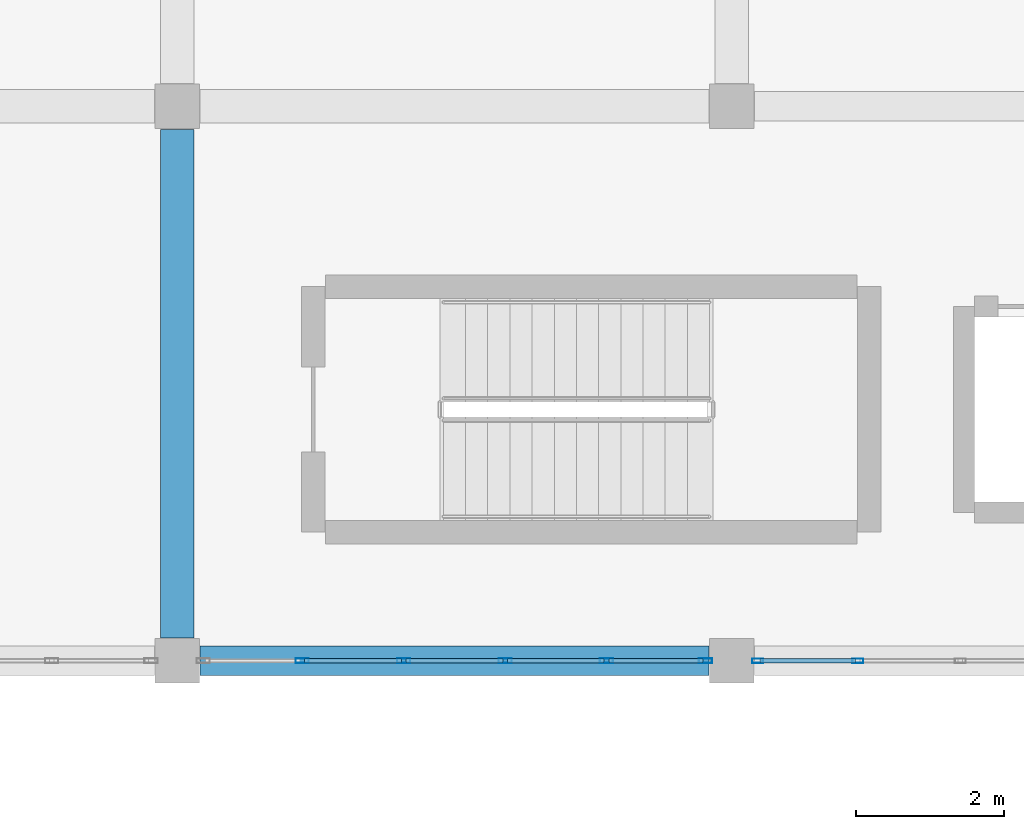
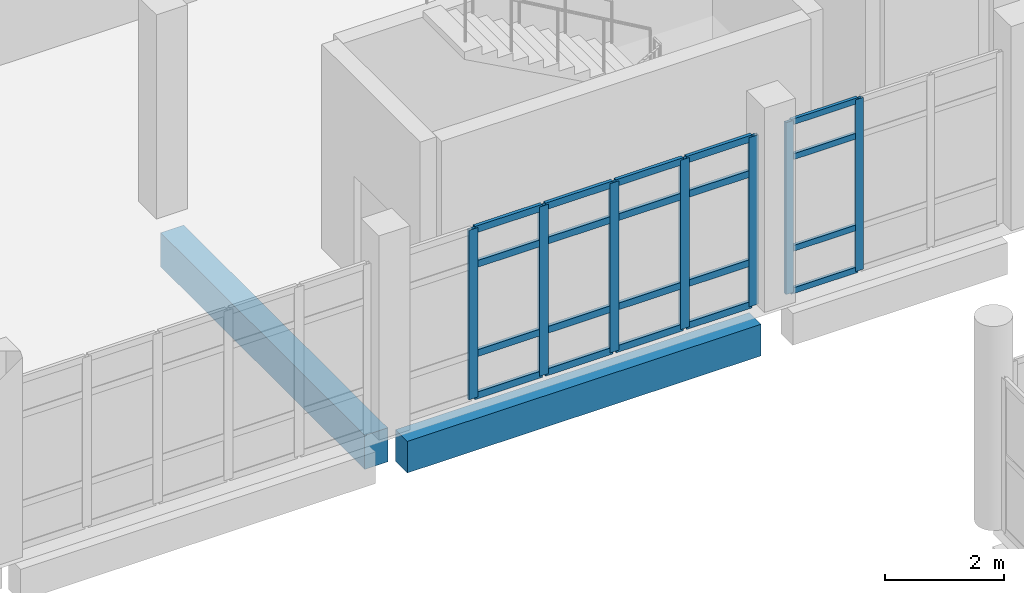
# One storey, part 74 of 164: 27 members, 2 beams, 2 elements without a shape of their own.
"""IFC4 building model written with IfcOpenShell, lengths in metres."""

from ifc_helpers import new_model, si_unit, direction, frame, origin, origin_2d, place, context, subcontext, project, spatial, rectangle, hollow_rectangle, extrude, material, layer, layer_set, material_profile, profile_set, type_object, element, aggregate, save


model = new_model("IFC4")

# Units and contexts
model_context = context("Model", 3, precision=1e-05, world=origin(), true_north=direction((0.0, 1.0)))
body_context = subcontext(model_context, "Body", "Model", "MODEL_VIEW")
ifc_project = project(units=[si_unit("LENGTHUNIT", "METRE"), si_unit("AREAUNIT", "SQUARE_METRE"), si_unit("VOLUMEUNIT", "CUBIC_METRE"), si_unit("PLANEANGLEUNIT", "RADIAN"), si_unit("MASSUNIT", "GRAM", prefix="KILO")], contexts=[model_context])

# Site, building, storey
site_placement = place(None, origin())
site = spatial("IfcSite", under=ifc_project, at=site_placement, CompositionType="ELEMENT")
building_placement = place(site_placement, origin())
building = spatial("IfcBuilding", under=site, at=building_placement, Name="Mawjan Specialist Oncology Clinic", CompositionType="ELEMENT")
storey_placement = place(building_placement, frame((0.0, 0.0, 5.0)))
storey = spatial("IfcBuildingStorey", under=building, at=storey_placement, Name="L01", CompositionType="ELEMENT", Elevation=5.0)

# Beam
ifc_material_1 = material(Name="Concrete C40/50", Category="concrete")
ifc_material_profile_1 = material_profile(ifc_material_1, rectangle(XDim=0.449951171875, YDim=0.699951171875, at=origin_2d()), Name="RC BM 450x700", Category="concrete")
ifc_profile_set_1 = profile_set([ifc_material_profile_1], Name="Concrete C40/50")
beam_type_1 = type_object("IfcBeamType", Name="BM-450x700", PredefinedType="BEAM", material=ifc_profile_set_1)
beam_1_placement = place(storey_placement, frame((52.5, 83.610107421875, -0.64990234375), z_axis=(0.0, 1.0, 0.0), x_axis=(-1.0, 0.0, 0.0)))
element("IfcBeam", 1, at=beam_1_placement, inside=storey, type_object=beam_type_1, Name="L01 Collector Beam BM-L01-0484", PredefinedType="BEAM", context=body_context, shape_type="SweptSolid", body=[
    extrude(rectangle(XDim=0.449951171875, YDim=0.699951171875, at=origin_2d()), origin(), (0.0, 0.0, 1.0), 6.8798828125),
])

# Curtain wall, members
ifc_material_2 = material(Name="Unitised spectrally selective aluminium curtain wall", Category="aluminium")
ifc_layer_1 = layer(ifc_material_2, 0.179931640625, Name="Unitised spectrally selective aluminium curtain wall", Category="aluminium")
ifc_layer_set_1 = layer_set([ifc_layer_1], Name="Unitised spectrally selective aluminium curtain wall")
curtain_wall_type_1 = type_object("IfcCurtainWallType", Name="CW-59", PredefinedType="NOTDEFINED", material=ifc_layer_set_1)
curtain_wall_1_placement = place(storey_placement, origin())
curtain_wall_1 = element("IfcCurtainWall", 2, at=curtain_wall_1_placement, inside=storey, type_object=curtain_wall_type_1, Name="L01 Unitised Curtain Wall CW-L01-113", PredefinedType="NOTDEFINED")
ifc_material_3 = material(Name="Thermally broken aluminium 6063-T6", Category="aluminium")
ifc_material_profile_2 = material_profile(ifc_material_3, hollow_rectangle(XDim=0.06005859375, YDim=0.14990234375, WallThickness=0.00390625, at=origin_2d()), Name="ALU MULLION 150x60x4", Category="aluminium")
ifc_profile_set_2 = profile_set([ifc_material_profile_2], Name="Thermally broken aluminium 6063-T6")
member_type_1 = type_object("IfcMemberType", Name="CW-M150", PredefinedType="MULLION", material=ifc_profile_set_2)
member_1_placement = place(storey_placement, frame((61.706787109375, 83.300048828125, 0.0), z_axis=(0.0, 0.0, 1.0), x_axis=(0.0, -1.0, 0.0)))
member_1 = element("IfcMember", 3, at=member_1_placement, type_object=member_type_1, Name="CW-59 mullion 3", PredefinedType="MULLION", context=body_context, shape_type="SweptSolid", body=[
    extrude(hollow_rectangle(XDim=0.06005859375, YDim=0.14990234375, WallThickness=0.00390625, at=origin_2d()), origin(), (0.0, 0.0, 1.0), 3.534912109375),
])
member_2_placement = place(storey_placement, frame((60.35009765625, 83.300048828125, 0.0), z_axis=(0.0, 0.0, 1.0), x_axis=(0.0, -1.0, 0.0)))
member_2 = element("IfcMember", 4, at=member_2_placement, type_object=member_type_1, Name="CW-59 mullion 4", PredefinedType="MULLION", context=body_context, shape_type="SweptSolid", body=[
    extrude(hollow_rectangle(XDim=0.06005859375, YDim=0.14990234375, WallThickness=0.00390625, at=origin_2d()), origin(), (0.0, 0.0, 1.0), 3.534912109375),
])

ifc_material_4 = material(Name="Unitised spectrally selective aluminium curtain wall", Category="aluminium")
ifc_layer_2 = layer(ifc_material_4, 0.179931640625, Name="Unitised spectrally selective aluminium curtain wall", Category="aluminium")
ifc_layer_set_2 = layer_set([ifc_layer_2], Name="Unitised spectrally selective aluminium curtain wall")
curtain_wall_type_2 = type_object("IfcCurtainWallType", Name="CW-60", PredefinedType="NOTDEFINED", material=ifc_layer_set_2)
curtain_wall_2_placement = place(storey_placement, origin())
curtain_wall_2 = element("IfcCurtainWall", 5, at=curtain_wall_2_placement, inside=storey, type_object=curtain_wall_type_2, Name="L01 Unitised Curtain Wall CW-L01-114", PredefinedType="NOTDEFINED")
ifc_material_5 = material(Name="Thermally broken aluminium 6063-T6", Category="aluminium")
ifc_material_profile_3 = material_profile(ifc_material_5, hollow_rectangle(XDim=0.06494140625, YDim=0.179931640625, WallThickness=0.00390625, at=origin_2d()), Name="ALU MULLION 180x65x4", Category="aluminium")
ifc_profile_set_3 = profile_set([ifc_material_profile_3], Name="Thermally broken aluminium 6063-T6")
member_type_2 = type_object("IfcMemberType", Name="CW-M180", PredefinedType="MULLION", material=ifc_profile_set_3)
member_3_placement = place(storey_placement, frame((59.6474609375, 83.300048828125, 0.0), z_axis=(0.0, 0.0, 1.0), x_axis=(0.0, -1.0, 0.0)))
member_3 = element("IfcMember", 6, at=member_3_placement, type_object=member_type_2, Name="CW-60 mullion 1", PredefinedType="MULLION", context=body_context, shape_type="SweptSolid", body=[
    extrude(hollow_rectangle(XDim=0.06494140625, YDim=0.179931640625, WallThickness=0.00390625, at=origin_2d()), origin(), (0.0, 0.0, 1.0), 3.485107421875),
])
member_4_placement = place(storey_placement, frame((58.30810546875, 83.300048828125, 0.0), z_axis=(0.0, 0.0, 1.0), x_axis=(0.0, -1.0, 0.0)))
member_4 = element("IfcMember", 7, at=member_4_placement, type_object=member_type_2, Name="CW-60 mullion 2", PredefinedType="MULLION", context=body_context, shape_type="SweptSolid", body=[
    extrude(hollow_rectangle(XDim=0.06494140625, YDim=0.179931640625, WallThickness=0.00390625, at=origin_2d()), origin(), (0.0, 0.0, 1.0), 3.485107421875),
])
member_5_placement = place(storey_placement, frame((56.93603515625, 83.300048828125, 0.0), z_axis=(0.0, 0.0, 1.0), x_axis=(0.0, -1.0, 0.0)))
member_5 = element("IfcMember", 8, at=member_5_placement, type_object=member_type_2, Name="CW-60 mullion 3", PredefinedType="MULLION", context=body_context, shape_type="SweptSolid", body=[
    extrude(hollow_rectangle(XDim=0.06494140625, YDim=0.179931640625, WallThickness=0.00390625, at=origin_2d()), origin(), (0.0, 0.0, 1.0), 3.485107421875),
])
member_6_placement = place(storey_placement, frame((55.56396484375, 83.300048828125, 0.0), z_axis=(0.0, 0.0, 1.0), x_axis=(0.0, -1.0, 0.0)))
member_6 = element("IfcMember", 9, at=member_6_placement, type_object=member_type_2, Name="CW-60 mullion 4", PredefinedType="MULLION", context=body_context, shape_type="SweptSolid", body=[
    extrude(hollow_rectangle(XDim=0.06494140625, YDim=0.179931640625, WallThickness=0.00390625, at=origin_2d()), origin(), (0.0, 0.0, 1.0), 3.485107421875),
])
member_7_placement = place(storey_placement, frame((54.19189453125, 83.300048828125, 0.0), z_axis=(0.0, 0.0, 1.0), x_axis=(0.0, -1.0, 0.0)))
member_7 = element("IfcMember", 10, at=member_7_placement, type_object=member_type_2, Name="CW-60 mullion 5", PredefinedType="MULLION", context=body_context, shape_type="SweptSolid", body=[
    extrude(hollow_rectangle(XDim=0.06494140625, YDim=0.179931640625, WallThickness=0.00390625, at=origin_2d()), origin(), (0.0, 0.0, 1.0), 3.485107421875),
])

# Member
ifc_material_6 = material(Name="Thermally broken aluminium 6063-T6", Category="aluminium")
ifc_material_profile_4 = material_profile(ifc_material_6, hollow_rectangle(XDim=0.06005859375, YDim=0.1201171875, WallThickness=0.00390625, at=origin_2d()), Name="ALU TRANSOM 120x60x4", Category="aluminium")
ifc_profile_set_4 = profile_set([ifc_material_profile_4], Name="Thermally broken aluminium 6063-T6")
member_type_3 = type_object("IfcMemberType", Name="CW-T120", PredefinedType="USERDEFINED", material=ifc_profile_set_4)
member_8_placement = place(storey_placement, frame((61.6767578125, 83.300048828125, 0.030029296875), z_axis=(-1.0, 0.0, 0.0), x_axis=(0.0, -1.0, 0.0)))
member_8 = element("IfcMember", 11, at=member_8_placement, type_object=member_type_3, Name="CW-59 transom 3.1", ObjectType="TRANSOM", PredefinedType="USERDEFINED", context=body_context, shape_type="SweptSolid", body=[
    extrude(hollow_rectangle(XDim=0.06005859375, YDim=0.1201171875, WallThickness=0.00390625, at=origin_2d()), origin(), (0.0, 0.0, 1.0), 1.296875),
])

member_9_placement = place(storey_placement, frame((61.6767578125, 83.300048828125, 0.89990234375), z_axis=(-1.0, 0.0, 0.0), x_axis=(0.0, -1.0, 0.0)))
member_9 = element("IfcMember", 12, at=member_9_placement, type_object=member_type_3, Name="CW-59 transom 3.2", ObjectType="TRANSOM", PredefinedType="USERDEFINED", context=body_context, shape_type="SweptSolid", body=[
    extrude(hollow_rectangle(XDim=0.06005859375, YDim=0.1201171875, WallThickness=0.00390625, at=origin_2d()), origin(), (0.0, 0.0, 1.0), 1.296875),
])

member_10_placement = place(storey_placement, frame((61.6767578125, 83.300048828125, 2.784912109375), z_axis=(-1.0, 0.0, 0.0), x_axis=(0.0, -1.0, 0.0)))
member_10 = element("IfcMember", 13, at=member_10_placement, type_object=member_type_3, Name="CW-59 transom 3.3", ObjectType="TRANSOM", PredefinedType="USERDEFINED", context=body_context, shape_type="SweptSolid", body=[
    extrude(hollow_rectangle(XDim=0.06005859375, YDim=0.1201171875, WallThickness=0.00390625, at=origin_2d()), origin(), (0.0, 0.0, 1.0), 1.296875),
])

member_11_placement = place(storey_placement, frame((61.6767578125, 83.300048828125, 3.5048828125), z_axis=(-1.0, 0.0, 0.0), x_axis=(0.0, -1.0, 0.0)))
member_11 = element("IfcMember", 14, at=member_11_placement, type_object=member_type_3, Name="CW-59 transom 3.4", ObjectType="TRANSOM", PredefinedType="USERDEFINED", context=body_context, shape_type="SweptSolid", body=[
    extrude(hollow_rectangle(XDim=0.06005859375, YDim=0.1201171875, WallThickness=0.00390625, at=origin_2d()), origin(), (0.0, 0.0, 1.0), 1.296875),
])

aggregate(curtain_wall_1, [member_1, member_2, member_8, member_9, member_10, member_11])

ifc_material_7 = material(Name="Thermally broken aluminium 6063-T6", Category="aluminium")
ifc_material_profile_5 = material_profile(ifc_material_7, hollow_rectangle(XDim=0.06494140625, YDim=0.139892578125, WallThickness=0.00390625, at=origin_2d()), Name="ALU TRANSOM 140x65x4", Category="aluminium")
ifc_profile_set_5 = profile_set([ifc_material_profile_5], Name="Thermally broken aluminium 6063-T6")
member_type_4 = type_object("IfcMemberType", Name="CW-T140", PredefinedType="USERDEFINED", material=ifc_profile_set_5)
member_12_placement = place(storey_placement, frame((59.614990234375, 83.300048828125, 0.032470703125), z_axis=(-1.0, 0.0, 0.0), x_axis=(0.0, -1.0, 0.0)))
member_12 = element("IfcMember", 15, at=member_12_placement, type_object=member_type_4, Name="CW-60 transom 1.1", ObjectType="TRANSOM", PredefinedType="USERDEFINED", context=body_context, shape_type="SweptSolid", body=[
    extrude(hollow_rectangle(XDim=0.06494140625, YDim=0.139892578125, WallThickness=0.00390625, at=origin_2d()), origin(), (0.0, 0.0, 1.0), 1.2744140625),
])

member_13_placement = place(storey_placement, frame((59.614990234375, 83.300048828125, 0.89990234375), z_axis=(-1.0, 0.0, 0.0), x_axis=(0.0, -1.0, 0.0)))
member_13 = element("IfcMember", 16, at=member_13_placement, type_object=member_type_4, Name="CW-60 transom 1.2", ObjectType="TRANSOM", PredefinedType="USERDEFINED", context=body_context, shape_type="SweptSolid", body=[
    extrude(hollow_rectangle(XDim=0.06494140625, YDim=0.139892578125, WallThickness=0.00390625, at=origin_2d()), origin(), (0.0, 0.0, 1.0), 1.2744140625),
])

member_14_placement = place(storey_placement, frame((59.614990234375, 83.300048828125, 2.735107421875), z_axis=(-1.0, 0.0, 0.0), x_axis=(0.0, -1.0, 0.0)))
member_14 = element("IfcMember", 17, at=member_14_placement, type_object=member_type_4, Name="CW-60 transom 1.3", ObjectType="TRANSOM", PredefinedType="USERDEFINED", context=body_context, shape_type="SweptSolid", body=[
    extrude(hollow_rectangle(XDim=0.06494140625, YDim=0.139892578125, WallThickness=0.00390625, at=origin_2d()), origin(), (0.0, 0.0, 1.0), 1.2744140625),
])

member_15_placement = place(storey_placement, frame((59.614990234375, 83.300048828125, 3.452392578125), z_axis=(-1.0, 0.0, 0.0), x_axis=(0.0, -1.0, 0.0)))
member_15 = element("IfcMember", 18, at=member_15_placement, type_object=member_type_4, Name="CW-60 transom 1.4", ObjectType="TRANSOM", PredefinedType="USERDEFINED", context=body_context, shape_type="SweptSolid", body=[
    extrude(hollow_rectangle(XDim=0.06494140625, YDim=0.139892578125, WallThickness=0.00390625, at=origin_2d()), origin(), (0.0, 0.0, 1.0), 1.2744140625),
])

member_16_placement = place(storey_placement, frame((58.275390625, 83.300048828125, 0.032470703125), z_axis=(-1.0, 0.0, 0.0), x_axis=(0.0, -1.0, 0.0)))
member_16 = element("IfcMember", 19, at=member_16_placement, type_object=member_type_4, Name="CW-60 transom 2.1", ObjectType="TRANSOM", PredefinedType="USERDEFINED", context=body_context, shape_type="SweptSolid", body=[
    extrude(hollow_rectangle(XDim=0.06494140625, YDim=0.139892578125, WallThickness=0.00390625, at=origin_2d()), origin(), (0.0, 0.0, 1.0), 1.306884765625),
])

member_17_placement = place(storey_placement, frame((58.275390625, 83.300048828125, 0.89990234375), z_axis=(-1.0, 0.0, 0.0), x_axis=(0.0, -1.0, 0.0)))
member_17 = element("IfcMember", 20, at=member_17_placement, type_object=member_type_4, Name="CW-60 transom 2.2", ObjectType="TRANSOM", PredefinedType="USERDEFINED", context=body_context, shape_type="SweptSolid", body=[
    extrude(hollow_rectangle(XDim=0.06494140625, YDim=0.139892578125, WallThickness=0.00390625, at=origin_2d()), origin(), (0.0, 0.0, 1.0), 1.306884765625),
])

member_18_placement = place(storey_placement, frame((58.275390625, 83.300048828125, 2.735107421875), z_axis=(-1.0, 0.0, 0.0), x_axis=(0.0, -1.0, 0.0)))
member_18 = element("IfcMember", 21, at=member_18_placement, type_object=member_type_4, Name="CW-60 transom 2.3", ObjectType="TRANSOM", PredefinedType="USERDEFINED", context=body_context, shape_type="SweptSolid", body=[
    extrude(hollow_rectangle(XDim=0.06494140625, YDim=0.139892578125, WallThickness=0.00390625, at=origin_2d()), origin(), (0.0, 0.0, 1.0), 1.306884765625),
])

member_19_placement = place(storey_placement, frame((58.275390625, 83.300048828125, 3.452392578125), z_axis=(-1.0, 0.0, 0.0), x_axis=(0.0, -1.0, 0.0)))
member_19 = element("IfcMember", 22, at=member_19_placement, type_object=member_type_4, Name="CW-60 transom 2.4", ObjectType="TRANSOM", PredefinedType="USERDEFINED", context=body_context, shape_type="SweptSolid", body=[
    extrude(hollow_rectangle(XDim=0.06494140625, YDim=0.139892578125, WallThickness=0.00390625, at=origin_2d()), origin(), (0.0, 0.0, 1.0), 1.306884765625),
])

member_20_placement = place(storey_placement, frame((56.903564453125, 83.300048828125, 0.032470703125), z_axis=(-1.0, 0.0, 0.0), x_axis=(0.0, -1.0, 0.0)))
member_20 = element("IfcMember", 23, at=member_20_placement, type_object=member_type_4, Name="CW-60 transom 3.1", ObjectType="TRANSOM", PredefinedType="USERDEFINED", context=body_context, shape_type="SweptSolid", body=[
    extrude(hollow_rectangle(XDim=0.06494140625, YDim=0.139892578125, WallThickness=0.00390625, at=origin_2d()), origin(), (0.0, 0.0, 1.0), 1.30712890625),
])

member_21_placement = place(storey_placement, frame((56.903564453125, 83.300048828125, 0.89990234375), z_axis=(-1.0, 0.0, 0.0), x_axis=(0.0, -1.0, 0.0)))
member_21 = element("IfcMember", 24, at=member_21_placement, type_object=member_type_4, Name="CW-60 transom 3.2", ObjectType="TRANSOM", PredefinedType="USERDEFINED", context=body_context, shape_type="SweptSolid", body=[
    extrude(hollow_rectangle(XDim=0.06494140625, YDim=0.139892578125, WallThickness=0.00390625, at=origin_2d()), origin(), (0.0, 0.0, 1.0), 1.30712890625),
])

member_22_placement = place(storey_placement, frame((56.903564453125, 83.300048828125, 2.735107421875), z_axis=(-1.0, 0.0, 0.0), x_axis=(0.0, -1.0, 0.0)))
member_22 = element("IfcMember", 25, at=member_22_placement, type_object=member_type_4, Name="CW-60 transom 3.3", ObjectType="TRANSOM", PredefinedType="USERDEFINED", context=body_context, shape_type="SweptSolid", body=[
    extrude(hollow_rectangle(XDim=0.06494140625, YDim=0.139892578125, WallThickness=0.00390625, at=origin_2d()), origin(), (0.0, 0.0, 1.0), 1.30712890625),
])

member_23_placement = place(storey_placement, frame((56.903564453125, 83.300048828125, 3.452392578125), z_axis=(-1.0, 0.0, 0.0), x_axis=(0.0, -1.0, 0.0)))
member_23 = element("IfcMember", 26, at=member_23_placement, type_object=member_type_4, Name="CW-60 transom 3.4", ObjectType="TRANSOM", PredefinedType="USERDEFINED", context=body_context, shape_type="SweptSolid", body=[
    extrude(hollow_rectangle(XDim=0.06494140625, YDim=0.139892578125, WallThickness=0.00390625, at=origin_2d()), origin(), (0.0, 0.0, 1.0), 1.30712890625),
])

member_24_placement = place(storey_placement, frame((55.531494140625, 83.300048828125, 0.032470703125), z_axis=(-1.0, 0.0, 0.0), x_axis=(0.0, -1.0, 0.0)))
member_24 = element("IfcMember", 27, at=member_24_placement, type_object=member_type_4, Name="CW-60 transom 4.1", ObjectType="TRANSOM", PredefinedType="USERDEFINED", context=body_context, shape_type="SweptSolid", body=[
    extrude(hollow_rectangle(XDim=0.06494140625, YDim=0.139892578125, WallThickness=0.00390625, at=origin_2d()), origin(), (0.0, 0.0, 1.0), 1.306884765625),
])

member_25_placement = place(storey_placement, frame((55.531494140625, 83.300048828125, 0.89990234375), z_axis=(-1.0, 0.0, 0.0), x_axis=(0.0, -1.0, 0.0)))
member_25 = element("IfcMember", 28, at=member_25_placement, type_object=member_type_4, Name="CW-60 transom 4.2", ObjectType="TRANSOM", PredefinedType="USERDEFINED", context=body_context, shape_type="SweptSolid", body=[
    extrude(hollow_rectangle(XDim=0.06494140625, YDim=0.139892578125, WallThickness=0.00390625, at=origin_2d()), origin(), (0.0, 0.0, 1.0), 1.306884765625),
])

member_26_placement = place(storey_placement, frame((55.531494140625, 83.300048828125, 2.735107421875), z_axis=(-1.0, 0.0, 0.0), x_axis=(0.0, -1.0, 0.0)))
member_26 = element("IfcMember", 29, at=member_26_placement, type_object=member_type_4, Name="CW-60 transom 4.3", ObjectType="TRANSOM", PredefinedType="USERDEFINED", context=body_context, shape_type="SweptSolid", body=[
    extrude(hollow_rectangle(XDim=0.06494140625, YDim=0.139892578125, WallThickness=0.00390625, at=origin_2d()), origin(), (0.0, 0.0, 1.0), 1.306884765625),
])

member_27_placement = place(storey_placement, frame((55.531494140625, 83.300048828125, 3.452392578125), z_axis=(-1.0, 0.0, 0.0), x_axis=(0.0, -1.0, 0.0)))
member_27 = element("IfcMember", 30, at=member_27_placement, type_object=member_type_4, Name="CW-60 transom 4.4", ObjectType="TRANSOM", PredefinedType="USERDEFINED", context=body_context, shape_type="SweptSolid", body=[
    extrude(hollow_rectangle(XDim=0.06494140625, YDim=0.139892578125, WallThickness=0.00390625, at=origin_2d()), origin(), (0.0, 0.0, 1.0), 1.306884765625),
])

aggregate(curtain_wall_2, [member_3, member_4, member_5, member_6, member_7, member_12, member_13, member_14, member_15, member_16, member_17, member_18, member_19, member_20, member_21, member_22, member_23, member_24, member_25, member_26, member_27])

# Beam
ifc_material_8 = material(Name="Concrete C45/55", Category="concrete")
ifc_material_profile_6 = material_profile(ifc_material_8, rectangle(XDim=0.39990234375, YDim=0.64990234375, at=origin_2d()), Name="RC BM 400x650", Category="concrete")
ifc_profile_set_6 = profile_set([ifc_material_profile_6], Name="Concrete C45/55")
beam_type_2 = type_object("IfcBeamType", Name="SP-400x650", PredefinedType="SPANDREL", material=ifc_profile_set_6)
beam_2_placement = place(storey_placement, frame((52.81005859375, 83.300048828125, -0.625), z_axis=(1.0, 0.0, 0.0), x_axis=(0.0, 1.0, 0.0)))
element("IfcBeam", 31, at=beam_2_placement, inside=storey, type_object=beam_type_2, Name="L01 Spandrel Beam BM-L01-0342", PredefinedType="SPANDREL", context=body_context, shape_type="SweptSolid", body=[
    extrude(rectangle(XDim=0.39990234375, YDim=0.64990234375, at=origin_2d()), origin(), (0.0, 0.0, 1.0), 6.8798828125),
])

save(model, "model.ifc")
